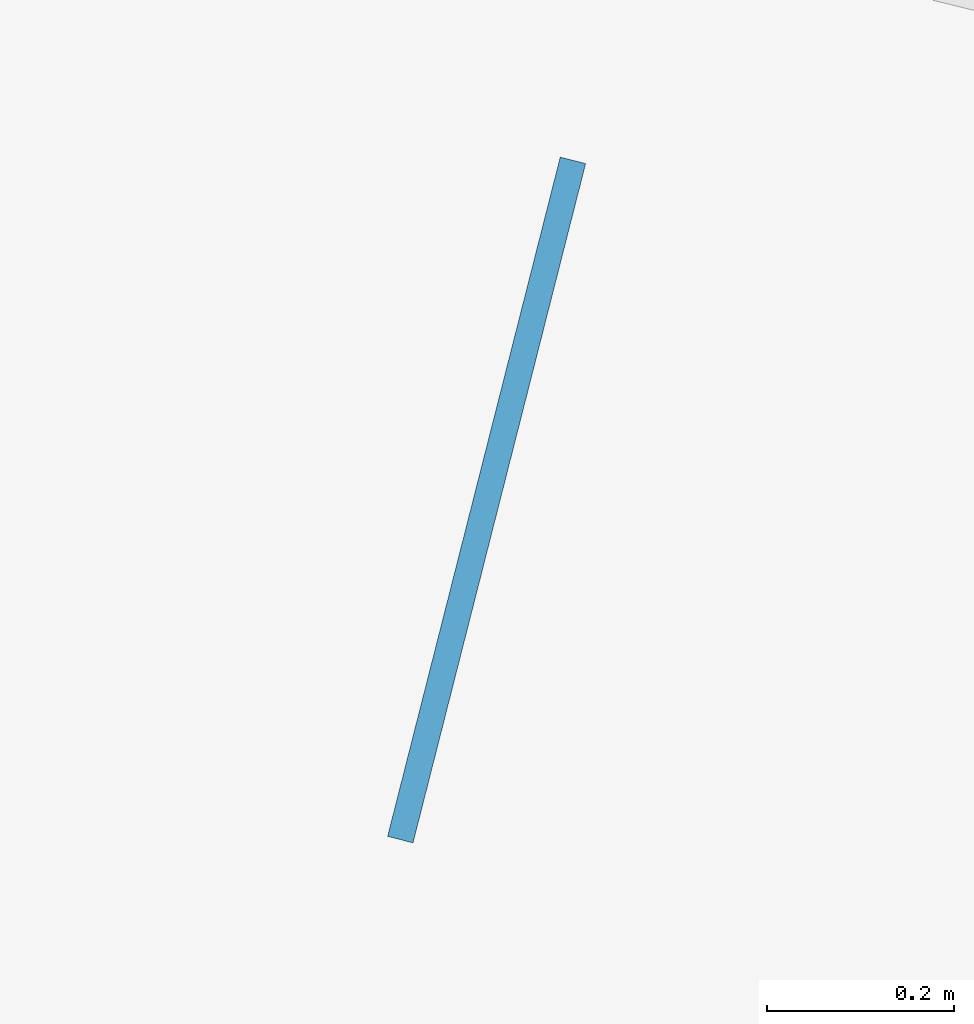
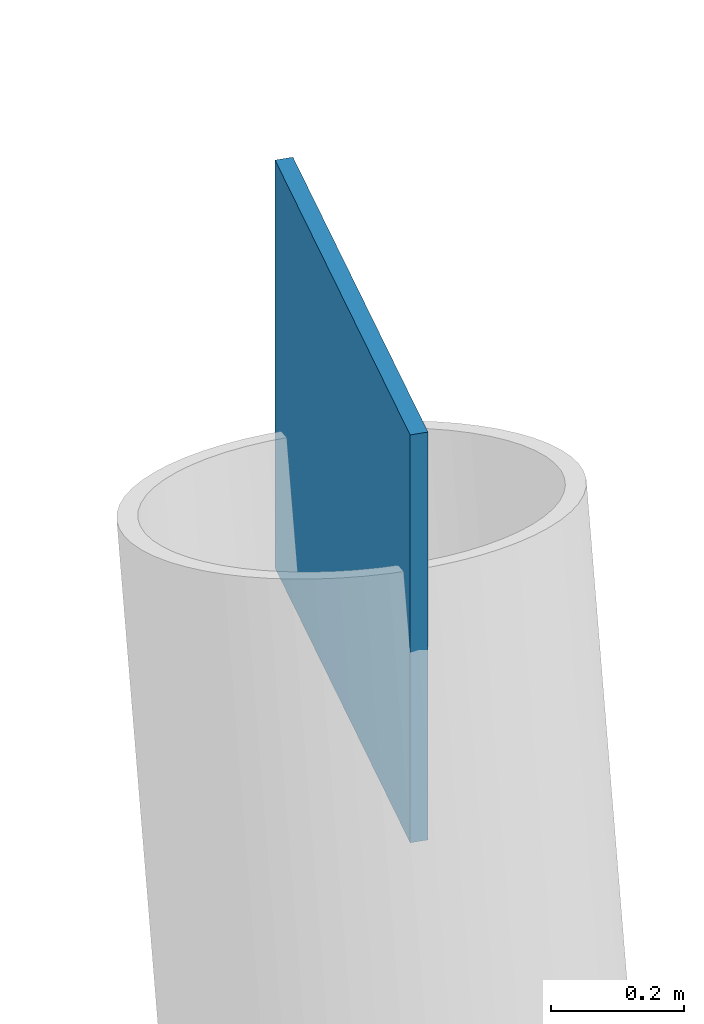
# One storey, part 82 of 117: 1 plate.
"""IFC4 building model written with IfcOpenShell, lengths in metres."""

from ifc_helpers import new_model, si_unit, direction, frame, origin, origin_2d, place, context, subcontext, project, spatial, rectangle, extrude, material, layer, layer_set, type_object, element, save


model = new_model("IFC4")

# Units and contexts
model_context = context("Model", 3, precision=1e-05, world=origin(), true_north=direction((0.0, 1.0)))
body_context = subcontext(model_context, "Body", "Model", "MODEL_VIEW")
ifc_project = project(units=[si_unit("LENGTHUNIT", "METRE"), si_unit("AREAUNIT", "SQUARE_METRE"), si_unit("VOLUMEUNIT", "CUBIC_METRE"), si_unit("PLANEANGLEUNIT", "RADIAN"), si_unit("MASSUNIT", "GRAM", prefix="KILO")], contexts=[model_context])

# Site, building, storey
site_placement = place(None, origin())
site = spatial("IfcSite", under=ifc_project, at=site_placement, CompositionType="ELEMENT")
building_placement = place(site_placement, origin())
building = spatial("IfcBuilding", under=site, at=building_placement, Name="Linyun Crest Stadium", CompositionType="ELEMENT")
storey_placement = place(building_placement, frame((0.0, 0.0, 6.0)))
storey = spatial("IfcBuildingStorey", under=building, at=storey_placement, Name="L02", CompositionType="ELEMENT", Elevation=6.0)

# Plate
ifc_material = material(Name="Steel Q420C", Category="steel")
ifc_layer = layer(ifc_material, 0.028076171875)
ifc_layer_set = layer_set([ifc_layer], Name="Steel Q420C")
plate_type = type_object("IfcPlateType", Name="EP03", PredefinedType="USERDEFINED", material=ifc_layer_set)
plate_placement = place(storey_placement, frame((75.568115234375, 98.544921875, 5.0224609375), z_axis=(0.0, 0.0, 1.0), x_axis=(0.246322451985, 0.96918793309, 0.0)))
element("IfcPlate", 1, at=plate_placement, inside=storey, type_object=plate_type, Name="Hollow section cap end plate EP03 411", ObjectType="END PLATE", PredefinedType="USERDEFINED", context=body_context, shape_type="SweptSolid", body=[
    extrude(rectangle(XDim=0.7509765625, YDim=0.028076171875, at=origin_2d()), origin(), (0.0, 0.0, 1.0), 0.7509765625),
])

save(model, "model.ifc")
